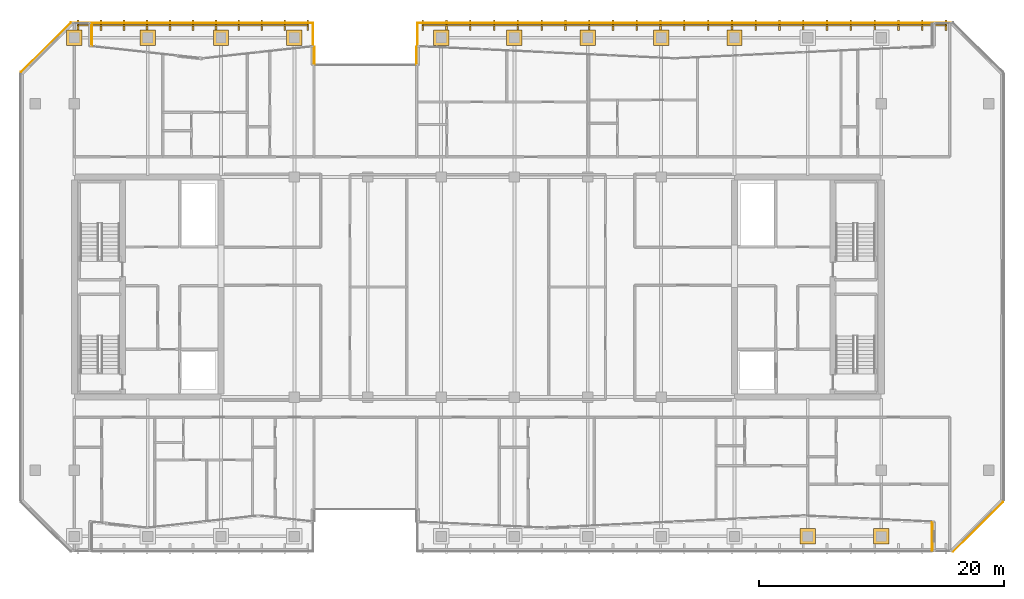
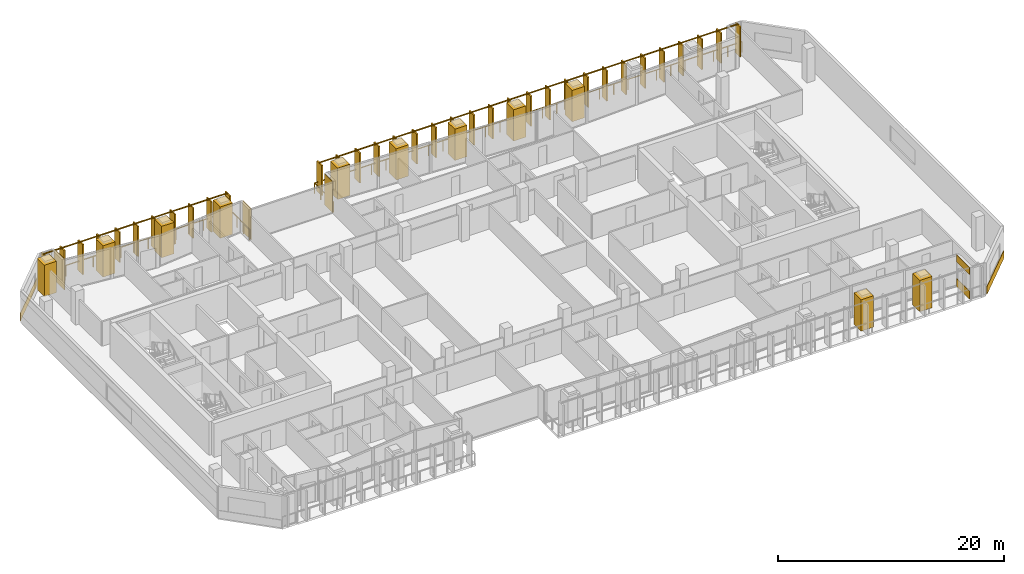
# One storey, part 27 of 28: 18 coverings, 4 railings.
"""IFC4 building model written with IfcOpenShell, lengths in metres."""

from ifc_helpers import new_model, si_unit, direction, frame, origin, origin_2d, place, context, subcontext, project, spatial, rectangle, extrude, material, layer, layer_set, type_object, element, save


model = new_model("IFC4")

# Units and contexts
model_context = context("Model", 3, precision=1e-05, world=origin(), true_north=direction((0.0, 1.0)))
body_context = subcontext(model_context, "Body", "Model", "MODEL_VIEW")
ifc_project = project(units=[si_unit("LENGTHUNIT", "METRE"), si_unit("AREAUNIT", "SQUARE_METRE"), si_unit("VOLUMEUNIT", "CUBIC_METRE"), si_unit("PLANEANGLEUNIT", "RADIAN"), si_unit("MASSUNIT", "GRAM", prefix="KILO")], contexts=[model_context])

# Site, building, storey
site_placement = place(None, origin())
site = spatial("IfcSite", under=ifc_project, at=site_placement, CompositionType="ELEMENT")
building_placement = place(site_placement, origin())
building = spatial("IfcBuilding", under=site, at=building_placement, Name="Tanjung Sevakor Pilgrim Tower", CompositionType="ELEMENT")
storey_placement = place(building_placement, frame((0.0, 0.0, 158.39990234375)))
storey = spatial("IfcBuildingStorey", under=building, at=storey_placement, Name="L44", CompositionType="ELEMENT", Elevation=158.39990234375)

# Coverings
ifc_material_1 = material(Name="Reconstructed Limestone Cladding", Category="masonry")
ifc_layer = layer(ifc_material_1, 0.044921875)
ifc_layer_set = layer_set([ifc_layer], Name="COV-CLAD-LIMESTONE")
covering_type = type_object("IfcCoveringType", Name="COV-CLAD-LIMESTONE", PredefinedType="CLADDING", material=ifc_layer_set)
covering_1_placement = place(storey_placement, frame((94.177490234375, 13.212158203125, 0.01025390625), z_axis=(0.0, 0.0, 1.0), x_axis=(0.0, -1.0, 0.0)))
element("IfcCovering", 1, at=covering_1_placement, inside=storey, type_object=covering_type, Name="L44 Warm Limestone Sill Spandrel EW-L44-MAIN-14-1", PredefinedType="CLADDING", context=body_context, shape_type="SweptSolid", body=[
    extrude(rectangle(XDim=2.294189453125, YDim=0.044921875, at=origin_2d()), origin(), (0.0, 0.0, 1.0), 0.840087890625),
])
covering_2_placement = place(storey_placement, frame((94.177490234375, 13.212158203125, 2.66015625), z_axis=(0.0, 0.0, 1.0), x_axis=(0.0, -1.0, 0.0)))
element("IfcCovering", 2, at=covering_2_placement, inside=storey, type_object=covering_type, Name="L44 Warm Limestone Cornice Spandrel EW-L44-MAIN-14", PredefinedType="CLADDING", context=body_context, shape_type="SweptSolid", body=[
    extrude(rectangle(XDim=2.334228515625, YDim=0.044921875, at=origin_2d()), origin(), (0.0, 0.0, 1.0), 0.739990234375),
])
covering_3_placement = place(storey_placement, frame((97.916015625, 13.984130859375, 0.01025390625), z_axis=(0.0, 0.0, 1.0), x_axis=(0.707106781187, 0.707106781187, 0.0)))
element("IfcCovering", 3, at=covering_3_placement, inside=storey, type_object=covering_type, Name="L44 Warm Limestone Sill Spandrel EW-CHM-L44-MAIN-15-1", PredefinedType="CLADDING", context=body_context, shape_type="SweptSolid", body=[
    extrude(rectangle(XDim=5.756103515625, YDim=0.044921875, at=origin_2d()), origin(), (0.0, 0.0, 1.0), 0.840087890625),
])
covering_4_placement = place(storey_placement, frame((51.9775390625, 52.531982421875, 0.02001953125), z_axis=(0.0, 0.0, 1.0), x_axis=(0.0, -1.0, 0.0)))
element("IfcCovering", 4, at=covering_4_placement, inside=storey, type_object=covering_type, Name="L44 Warm Limestone Wall Cladding EW-L44-MAIN-25", PredefinedType="CLADDING", context=body_context, shape_type="SweptSolid", body=[
    extrude(rectangle(XDim=1.473876953125, YDim=0.044921875, at=origin_2d()), origin(), (0.0, 0.0, 1.0), 3.3701171875),
])
covering_5_placement = place(storey_placement, frame((43.62255859375, 52.527587890625, 0.02001953125), z_axis=(0.0, 0.0, 1.0), x_axis=(0.0, 1.0, 0.0)))
element("IfcCovering", 5, at=covering_5_placement, inside=storey, type_object=covering_type, Name="L44 Warm Limestone Wall Cladding EW-L44-MAIN-27", PredefinedType="CLADDING", context=body_context, shape_type="SweptSolid", body=[
    extrude(rectangle(XDim=1.465576171875, YDim=0.044921875, at=origin_2d()), origin(), (0.0, 0.0, 1.0), 3.3701171875),
])
covering_6_placement = place(storey_placement, frame((25.422607421875, 54.241455078125, 0.02001953125), z_axis=(0.0, 0.0, 1.0), x_axis=(0.0, 1.0, 0.0)))
element("IfcCovering", 6, at=covering_6_placement, inside=storey, type_object=covering_type, Name="L44 Warm Limestone Wall Cladding EW-L44-MAIN-32", PredefinedType="CLADDING", context=body_context, shape_type="SweptSolid", body=[
    extrude(rectangle(XDim=1.826904296875, YDim=0.044921875, at=origin_2d()), origin(), (0.0, 0.0, 1.0), 3.3701171875),
])
covering_7_placement = place(storey_placement, frame((21.68408203125, 53.2158203125, 0.01025390625), z_axis=(0.0, 0.0, 1.0), x_axis=(-0.707106781187, -0.707106781187, 0.0)))
element("IfcCovering", 7, at=covering_7_placement, inside=storey, type_object=covering_type, Name="L44 Warm Limestone Sill Spandrel EW-CHM-L44-MAIN-33-1", PredefinedType="CLADDING", context=body_context, shape_type="SweptSolid", body=[
    extrude(rectangle(XDim=5.756103515625, YDim=0.044921875, at=origin_2d()), origin(), (0.0, 0.0, 1.0), 0.840087890625),
])
for number, where, z_axis, x_axis, name in (
    (8, (24.0, 54.0, 0.01025390625), (0.0, 0.0, 1.0), (1.0, 0.0, 0.0), "L44 Colonnade Pier Limestone Casing 22"),
    (9, (30.0, 54.0, 0.01025390625), (0.0, 0.0, 1.0), (1.0, 0.0, 0.0), "L44 Colonnade Pier Limestone Casing 24"),
    (10, (36.0, 54.0, 0.01025390625), (0.0, 0.0, 1.0), (1.0, 0.0, 0.0), "L44 Colonnade Pier Limestone Casing 26"),
    (11, (42.0, 54.0, 0.01025390625), (0.0, 0.0, 1.0), (1.0, 0.0, 0.0), "L44 Colonnade Pier Limestone Casing 28"),
    (12, (54.0, 54.0, 0.01025390625), (0.0, 0.0, 1.0), (1.0, 0.0, 0.0), "L44 Colonnade Pier Limestone Casing 30"),
    (13, (60.0, 54.0, 0.01025390625), (0.0, 0.0, 1.0), (1.0, 0.0, 0.0), "L44 Colonnade Pier Limestone Casing 32"),
    (14, (66.0, 54.0, 0.01025390625), (0.0, 0.0, 1.0), (1.0, 0.0, 0.0), "L44 Colonnade Pier Limestone Casing 34"),
    (15, (72.0, 54.0, 0.01025390625), (0.0, 0.0, 1.0), (1.0, 0.0, 0.0), "L44 Colonnade Pier Limestone Casing 36"),
    (16, (78.0, 54.0, 0.01025390625), (0.0, 0.0, 1.0), (1.0, 0.0, 0.0), "L44 Colonnade Pier Limestone Casing 38"),
    (17, (84.0, 13.199951171875, 0.01025390625), (0.0, 0.0, 1.0), (1.0, 0.0, 0.0), "L44 Colonnade Pier Limestone Casing 39"),
    (18, (90.0, 13.199951171875, 0.01025390625), (0.0, 0.0, 1.0), (1.0, 0.0, 0.0), "L44 Colonnade Pier Limestone Casing 41"),
):
    element("IfcCovering", number, at=place(storey_placement, frame(where, z_axis=z_axis, x_axis=x_axis)), inside=storey, type_object=covering_type, Name=name, PredefinedType="CLADDING", context=body_context, shape_type="SweptSolid", body=[
        extrude(rectangle(XDim=1.260009765625, YDim=1.260009765625, at=origin_2d()), origin(), (0.0, 0.0, 1.0), 3.389892578125),
    ])

# Railings
ifc_material_2 = material(Name="Steel S355J2", Category="steel")
railing_type_1 = type_object("IfcRailingType", Name="RL-EXT-GUARD", PredefinedType="GUARDRAIL", material=ifc_material_2)
railing_1_placement = place(storey_placement, frame((23.800048828125, 55.199951171875, 0.0)))
element("IfcRailing", 19, at=railing_1_placement, inside=storey, type_object=railing_type_1, Name="L44 S-Curve Gap Guardrail NW", PredefinedType="GUARDRAIL", context=body_context, shape_type="SweptSolid", body=[
    extrude(rectangle(XDim=0.0479, YDim=0.0479), frame((0.0, 0.0, 1.1259765625), z_axis=(1.0, 0.0, 0.0), x_axis=(0.0, 1.0, 0.0)), (0.0, 0.0, 1.0), 19.719970703125),
    extrude(rectangle(XDim=0.0479, YDim=0.0479), frame((19.719970703125, 0.0, 1.1259765625), z_axis=(0.0, -1.0, 0.0), x_axis=(1.0, 0.0, 0.0)), (0.0, 0.0, 1.0), 3.300048828125),
    extrude(rectangle(XDim=0.042, YDim=0.042), origin(), (0.0, 0.0, 1.0), 1.101806640625),
    extrude(rectangle(XDim=0.042, YDim=0.042), frame((1.40869140625, 0.0, 0.0)), (0.0, 0.0, 1.0), 1.101806640625),
    extrude(rectangle(XDim=0.042, YDim=0.042), frame((2.817138671875, 0.0, 0.0)), (0.0, 0.0, 1.0), 1.101806640625),
    extrude(rectangle(XDim=0.042, YDim=0.042), frame((4.2255859375, 0.0, 0.0)), (0.0, 0.0, 1.0), 1.101806640625),
    extrude(rectangle(XDim=0.042, YDim=0.042), frame((5.63427734375, 0.0, 0.0)), (0.0, 0.0, 1.0), 1.101806640625),
    extrude(rectangle(XDim=0.042, YDim=0.042), frame((7.04296875, 0.0, 0.0)), (0.0, 0.0, 1.0), 1.101806640625),
    extrude(rectangle(XDim=0.042, YDim=0.042), frame((8.451416015625, 0.0, 0.0)), (0.0, 0.0, 1.0), 1.101806640625),
    extrude(rectangle(XDim=0.042, YDim=0.042), frame((9.85986328125, 0.0, 0.0)), (0.0, 0.0, 1.0), 1.101806640625),
    extrude(rectangle(XDim=0.042, YDim=0.042), frame((11.2685546875, 0.0, 0.0)), (0.0, 0.0, 1.0), 1.101806640625),
    extrude(rectangle(XDim=0.042, YDim=0.042), frame((12.67724609375, 0.0, 0.0)), (0.0, 0.0, 1.0), 1.101806640625),
    extrude(rectangle(XDim=0.042, YDim=0.042), frame((14.085693359375, 0.0, 0.0)), (0.0, 0.0, 1.0), 1.101806640625),
    extrude(rectangle(XDim=0.042, YDim=0.042), frame((15.494140625, 0.0, 0.0)), (0.0, 0.0, 1.0), 1.101806640625),
    extrude(rectangle(XDim=0.042, YDim=0.042), frame((16.90283203125, 0.0, 0.0)), (0.0, 0.0, 1.0), 1.101806640625),
    extrude(rectangle(XDim=0.042, YDim=0.042), frame((18.3115234375, 0.0, 0.0)), (0.0, 0.0, 1.0), 1.101806640625),
    extrude(rectangle(XDim=0.042, YDim=0.042), frame((19.719970703125, 0.0, 0.0)), (0.0, 0.0, 1.0), 1.101806640625),
    extrude(rectangle(XDim=0.042, YDim=0.042), frame((19.719970703125, -1.10009765625, 0.0)), (0.0, 0.0, 1.0), 1.101806640625),
    extrude(rectangle(XDim=0.042, YDim=0.042), frame((19.719970703125, -2.199951171875, 0.0)), (0.0, 0.0, 1.0), 1.101806640625),
    extrude(rectangle(XDim=0.042, YDim=0.042), frame((19.719970703125, -3.300048828125, 0.0)), (0.0, 0.0, 1.0), 1.101806640625),
])
railing_2_placement = place(storey_placement, frame((52.080078125, 51.89990234375, 0.0)))
element("IfcRailing", 20, at=railing_2_placement, inside=storey, type_object=railing_type_1, Name="L44 S-Curve Gap Guardrail NE", PredefinedType="GUARDRAIL", context=body_context, shape_type="SweptSolid", body=[
    extrude(rectangle(XDim=0.0479, YDim=0.0479), frame((0.0, 0.0, 1.1259765625), z_axis=(0.0, 1.0, 0.0), x_axis=(-1.0, 0.0, 0.0)), (0.0, 0.0, 1.0), 3.300048828125),
    extrude(rectangle(XDim=0.0479, YDim=0.0479), frame((0.0, 3.300048828125, 1.1259765625), z_axis=(1.0, 0.0, 0.0), x_axis=(0.0, 1.0, 0.0)), (0.0, 0.0, 1.0), 43.719970703125),
    extrude(rectangle(XDim=0.042, YDim=0.042), origin(), (0.0, 0.0, 1.0), 1.101806640625),
    extrude(rectangle(XDim=0.042, YDim=0.042), frame((0.0, 1.10009765625, 0.0)), (0.0, 0.0, 1.0), 1.101806640625),
    extrude(rectangle(XDim=0.042, YDim=0.042), frame((0.0, 2.199951171875, 0.0)), (0.0, 0.0, 1.0), 1.101806640625),
    extrude(rectangle(XDim=0.042, YDim=0.042), frame((0.0, 3.300048828125, 0.0)), (0.0, 0.0, 1.0), 1.101806640625),
    extrude(rectangle(XDim=0.042, YDim=0.042), frame((1.457275390625, 3.300048828125, 0.0)), (0.0, 0.0, 1.0), 1.101806640625),
    extrude(rectangle(XDim=0.042, YDim=0.042), frame((2.91455078125, 3.300048828125, 0.0)), (0.0, 0.0, 1.0), 1.101806640625),
    extrude(rectangle(XDim=0.042, YDim=0.042), frame((4.3720703125, 3.300048828125, 0.0)), (0.0, 0.0, 1.0), 1.101806640625),
    extrude(rectangle(XDim=0.042, YDim=0.042), frame((5.829345703125, 3.300048828125, 0.0)), (0.0, 0.0, 1.0), 1.101806640625),
    extrude(rectangle(XDim=0.042, YDim=0.042), frame((7.28662109375, 3.300048828125, 0.0)), (0.0, 0.0, 1.0), 1.101806640625),
    extrude(rectangle(XDim=0.042, YDim=0.042), frame((8.743896484375, 3.300048828125, 0.0)), (0.0, 0.0, 1.0), 1.101806640625),
    extrude(rectangle(XDim=0.042, YDim=0.042), frame((10.201416015625, 3.300048828125, 0.0)), (0.0, 0.0, 1.0), 1.101806640625),
    extrude(rectangle(XDim=0.042, YDim=0.042), frame((11.65869140625, 3.300048828125, 0.0)), (0.0, 0.0, 1.0), 1.101806640625),
    extrude(rectangle(XDim=0.042, YDim=0.042), frame((13.115966796875, 3.300048828125, 0.0)), (0.0, 0.0, 1.0), 1.101806640625),
    extrude(rectangle(XDim=0.042, YDim=0.042), frame((14.5732421875, 3.300048828125, 0.0)), (0.0, 0.0, 1.0), 1.101806640625),
    extrude(rectangle(XDim=0.042, YDim=0.042), frame((16.03076171875, 3.300048828125, 0.0)), (0.0, 0.0, 1.0), 1.101806640625),
    extrude(rectangle(XDim=0.042, YDim=0.042), frame((17.488037109375, 3.300048828125, 0.0)), (0.0, 0.0, 1.0), 1.101806640625),
    extrude(rectangle(XDim=0.042, YDim=0.042), frame((18.9453125, 3.300048828125, 0.0)), (0.0, 0.0, 1.0), 1.101806640625),
    extrude(rectangle(XDim=0.042, YDim=0.042), frame((20.402587890625, 3.300048828125, 0.0)), (0.0, 0.0, 1.0), 1.101806640625),
    extrude(rectangle(XDim=0.042, YDim=0.042), frame((21.85986328125, 3.300048828125, 0.0)), (0.0, 0.0, 1.0), 1.101806640625),
    extrude(rectangle(XDim=0.042, YDim=0.042), frame((23.3173828125, 3.300048828125, 0.0)), (0.0, 0.0, 1.0), 1.101806640625),
    extrude(rectangle(XDim=0.042, YDim=0.042), frame((24.774658203125, 3.300048828125, 0.0)), (0.0, 0.0, 1.0), 1.101806640625),
    extrude(rectangle(XDim=0.042, YDim=0.042), frame((26.23193359375, 3.300048828125, 0.0)), (0.0, 0.0, 1.0), 1.101806640625),
    extrude(rectangle(XDim=0.042, YDim=0.042), frame((27.689208984375, 3.300048828125, 0.0)), (0.0, 0.0, 1.0), 1.101806640625),
    extrude(rectangle(XDim=0.042, YDim=0.042), frame((29.146728515625, 3.300048828125, 0.0)), (0.0, 0.0, 1.0), 1.101806640625),
    extrude(rectangle(XDim=0.042, YDim=0.042), frame((30.60400390625, 3.300048828125, 0.0)), (0.0, 0.0, 1.0), 1.101806640625),
    extrude(rectangle(XDim=0.042, YDim=0.042), frame((32.061279296875, 3.300048828125, 0.0)), (0.0, 0.0, 1.0), 1.101806640625),
    extrude(rectangle(XDim=0.042, YDim=0.042), frame((33.5185546875, 3.300048828125, 0.0)), (0.0, 0.0, 1.0), 1.101806640625),
    extrude(rectangle(XDim=0.042, YDim=0.042), frame((34.97607421875, 3.300048828125, 0.0)), (0.0, 0.0, 1.0), 1.101806640625),
    extrude(rectangle(XDim=0.042, YDim=0.042), frame((36.433349609375, 3.300048828125, 0.0)), (0.0, 0.0, 1.0), 1.101806640625),
    extrude(rectangle(XDim=0.042, YDim=0.042), frame((37.890625, 3.300048828125, 0.0)), (0.0, 0.0, 1.0), 1.101806640625),
    extrude(rectangle(XDim=0.042, YDim=0.042), frame((39.347900390625, 3.300048828125, 0.0)), (0.0, 0.0, 1.0), 1.101806640625),
    extrude(rectangle(XDim=0.042, YDim=0.042), frame((40.805419921875, 3.300048828125, 0.0)), (0.0, 0.0, 1.0), 1.101806640625),
    extrude(rectangle(XDim=0.042, YDim=0.042), frame((42.2626953125, 3.300048828125, 0.0)), (0.0, 0.0, 1.0), 1.101806640625),
    extrude(rectangle(XDim=0.042, YDim=0.042), frame((43.719970703125, 3.300048828125, 0.0)), (0.0, 0.0, 1.0), 1.101806640625),
])
ifc_material_3 = material(Name="Anodised Bronze Aluminium 6063-T6", Category="aluminium")
railing_type_2 = type_object("IfcRailingType", Name="RL-FIN-SCREEN", PredefinedType="BALUSTRADE", material=ifc_material_3)
railing_3_placement = place(storey_placement, frame((24.300048828125, 55.02001953125, 0.0)))
element("IfcRailing", 21, at=railing_3_placement, inside=storey, type_object=railing_type_2, Name="L44 Vertical Bronze-Gold Solar Fin Screen FN-SCGAP-L44-NW-1", PredefinedType="BALUSTRADE", context=body_context, shape_type="SweptSolid", body=[
    extrude(rectangle(XDim=0.105, YDim=0.105), frame((0.0, 0.0, 3.317626953125), z_axis=(1.0, 0.0, 0.0), x_axis=(0.0, 1.0, 0.0)), (0.0, 0.0, 1.0), 18.800048828125),
    extrude(rectangle(XDim=0.14, YDim=0.85), origin(), (0.0, 0.0, 1.0), 3.26513671875),
    extrude(rectangle(XDim=0.14, YDim=0.85), frame((1.8798828125, 0.0, 0.0)), (0.0, 0.0, 1.0), 3.26513671875),
    extrude(rectangle(XDim=0.14, YDim=0.85), frame((3.760009765625, 0.0, 0.0)), (0.0, 0.0, 1.0), 3.26513671875),
    extrude(rectangle(XDim=0.14, YDim=0.85), frame((5.64013671875, 0.0, 0.0)), (0.0, 0.0, 1.0), 3.26513671875),
    extrude(rectangle(XDim=0.14, YDim=0.85), frame((7.52001953125, 0.0, 0.0)), (0.0, 0.0, 1.0), 3.26513671875),
    extrude(rectangle(XDim=0.14, YDim=0.85), frame((9.39990234375, 0.0, 0.0)), (0.0, 0.0, 1.0), 3.26513671875),
    extrude(rectangle(XDim=0.14, YDim=0.85), frame((11.280029296875, 0.0, 0.0)), (0.0, 0.0, 1.0), 3.26513671875),
    extrude(rectangle(XDim=0.14, YDim=0.85), frame((13.16015625, 0.0, 0.0)), (0.0, 0.0, 1.0), 3.26513671875),
    extrude(rectangle(XDim=0.14, YDim=0.85), frame((15.0400390625, 0.0, 0.0)), (0.0, 0.0, 1.0), 3.26513671875),
    extrude(rectangle(XDim=0.14, YDim=0.85), frame((16.919921875, 0.0, 0.0)), (0.0, 0.0, 1.0), 3.26513671875),
    extrude(rectangle(XDim=0.14, YDim=0.85), frame((18.800048828125, 0.0, 0.0)), (0.0, 0.0, 1.0), 3.26513671875),
])
railing_4_placement = place(storey_placement, frame((52.5, 55.02001953125, 0.0)))
element("IfcRailing", 22, at=railing_4_placement, inside=storey, type_object=railing_type_2, Name="L44 Vertical Bronze-Gold Solar Fin Screen FN-SCGAP-L44-NE-1", PredefinedType="BALUSTRADE", context=body_context, shape_type="SweptSolid", body=[
    extrude(rectangle(XDim=0.105, YDim=0.105), frame((0.0, 0.0, 3.317626953125), z_axis=(1.0, 0.0, 0.0), x_axis=(0.0, 1.0, 0.0)), (0.0, 0.0, 1.0), 42.800048828125),
    extrude(rectangle(XDim=0.14, YDim=0.85), origin(), (0.0, 0.0, 1.0), 3.26513671875),
    extrude(rectangle(XDim=0.14, YDim=0.85), frame((1.945556640625, 0.0, 0.0)), (0.0, 0.0, 1.0), 3.26513671875),
    extrude(rectangle(XDim=0.14, YDim=0.85), frame((3.890869140625, 0.0, 0.0)), (0.0, 0.0, 1.0), 3.26513671875),
    extrude(rectangle(XDim=0.14, YDim=0.85), frame((5.83642578125, 0.0, 0.0)), (0.0, 0.0, 1.0), 3.26513671875),
    extrude(rectangle(XDim=0.14, YDim=0.85), frame((7.78173828125, 0.0, 0.0)), (0.0, 0.0, 1.0), 3.26513671875),
    extrude(rectangle(XDim=0.14, YDim=0.85), frame((9.727294921875, 0.0, 0.0)), (0.0, 0.0, 1.0), 3.26513671875),
    extrude(rectangle(XDim=0.14, YDim=0.85), frame((11.6728515625, 0.0, 0.0)), (0.0, 0.0, 1.0), 3.26513671875),
    extrude(rectangle(XDim=0.14, YDim=0.85), frame((13.6181640625, 0.0, 0.0)), (0.0, 0.0, 1.0), 3.26513671875),
    extrude(rectangle(XDim=0.14, YDim=0.85), frame((15.563720703125, 0.0, 0.0)), (0.0, 0.0, 1.0), 3.26513671875),
    extrude(rectangle(XDim=0.14, YDim=0.85), frame((17.509033203125, 0.0, 0.0)), (0.0, 0.0, 1.0), 3.26513671875),
    extrude(rectangle(XDim=0.14, YDim=0.85), frame((19.45458984375, 0.0, 0.0)), (0.0, 0.0, 1.0), 3.26513671875),
    extrude(rectangle(XDim=0.14, YDim=0.85), frame((21.39990234375, 0.0, 0.0)), (0.0, 0.0, 1.0), 3.26513671875),
    extrude(rectangle(XDim=0.14, YDim=0.85), frame((23.345458984375, 0.0, 0.0)), (0.0, 0.0, 1.0), 3.26513671875),
    extrude(rectangle(XDim=0.14, YDim=0.85), frame((25.291015625, 0.0, 0.0)), (0.0, 0.0, 1.0), 3.26513671875),
    extrude(rectangle(XDim=0.14, YDim=0.85), frame((27.236328125, 0.0, 0.0)), (0.0, 0.0, 1.0), 3.26513671875),
    extrude(rectangle(XDim=0.14, YDim=0.85), frame((29.181884765625, 0.0, 0.0)), (0.0, 0.0, 1.0), 3.26513671875),
    extrude(rectangle(XDim=0.14, YDim=0.85), frame((31.127197265625, 0.0, 0.0)), (0.0, 0.0, 1.0), 3.26513671875),
    extrude(rectangle(XDim=0.14, YDim=0.85), frame((33.07275390625, 0.0, 0.0)), (0.0, 0.0, 1.0), 3.26513671875),
    extrude(rectangle(XDim=0.14, YDim=0.85), frame((35.018310546875, 0.0, 0.0)), (0.0, 0.0, 1.0), 3.26513671875),
    extrude(rectangle(XDim=0.14, YDim=0.85), frame((36.963623046875, 0.0, 0.0)), (0.0, 0.0, 1.0), 3.26513671875),
    extrude(rectangle(XDim=0.14, YDim=0.85), frame((38.9091796875, 0.0, 0.0)), (0.0, 0.0, 1.0), 3.26513671875),
    extrude(rectangle(XDim=0.14, YDim=0.85), frame((40.8544921875, 0.0, 0.0)), (0.0, 0.0, 1.0), 3.26513671875),
    extrude(rectangle(XDim=0.14, YDim=0.85), frame((42.800048828125, 0.0, 0.0)), (0.0, 0.0, 1.0), 3.26513671875),
])

save(model, "model.ifc")
